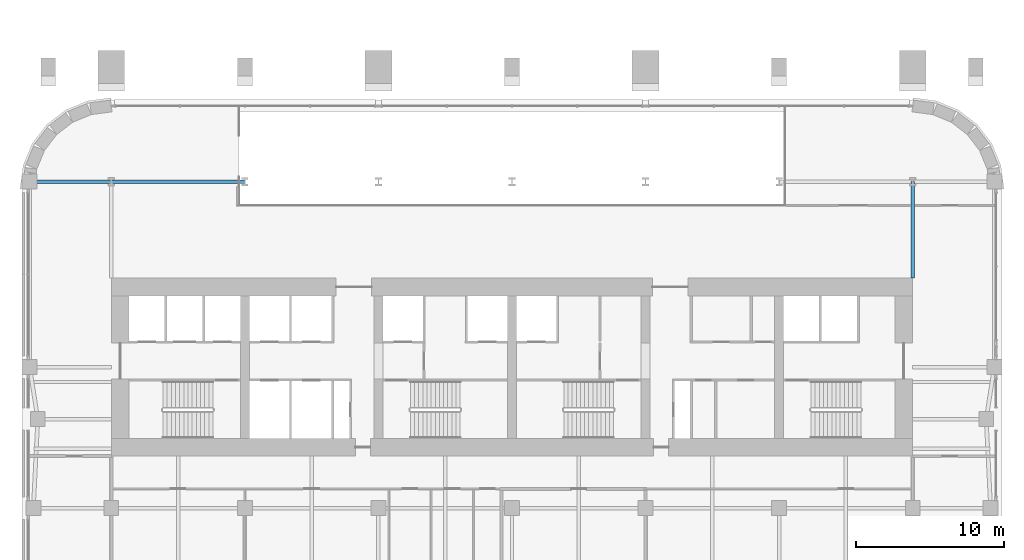
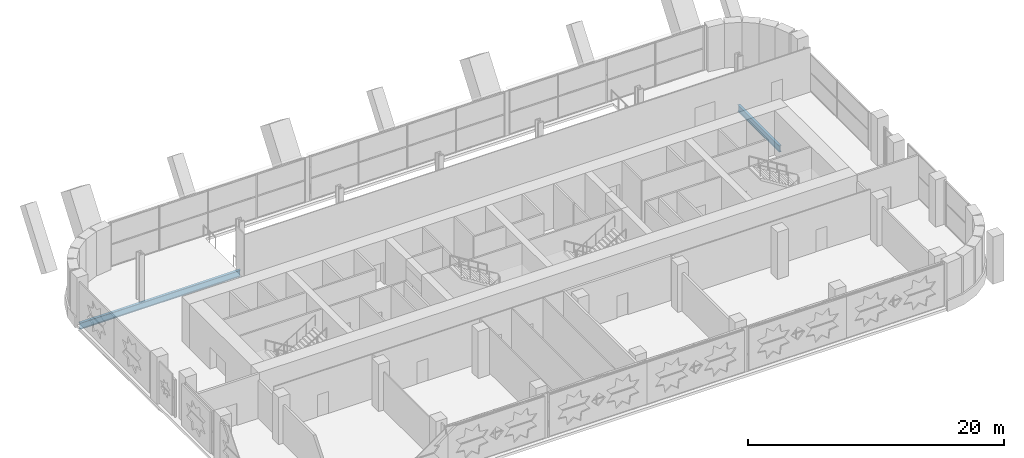
# One storey, part 7 of 21: 2 beams.
"""IFC4 building model written with IfcOpenShell, lengths in metres."""

from ifc_helpers import new_model, si_unit, direction, frame, origin, origin_2d, place, context, subcontext, project, spatial, i_section, extrude, material, material_profile, profile_set, type_object, element, save


model = new_model("IFC4")

# Units and contexts
model_context = context("Model", 3, precision=1e-05, world=origin(), true_north=direction((0.0, 1.0)))
body_context = subcontext(model_context, "Body", "Model", "MODEL_VIEW")
ifc_project = project(units=[si_unit("LENGTHUNIT", "METRE"), si_unit("AREAUNIT", "SQUARE_METRE"), si_unit("VOLUMEUNIT", "CUBIC_METRE"), si_unit("PLANEANGLEUNIT", "RADIAN"), si_unit("MASSUNIT", "GRAM", prefix="KILO")], contexts=[model_context])

# Site, building, storey
site_placement = place(None, origin())
site = spatial("IfcSite", under=ifc_project, at=site_placement, CompositionType="ELEMENT")
building_placement = place(site_placement, origin())
building = spatial("IfcBuilding", under=site, at=building_placement, Name="Zellij Exchange Tower", CompositionType="ELEMENT")
storey_placement = place(building_placement, frame((0.0, 0.0, 43.5)))
storey = spatial("IfcBuildingStorey", under=building, at=storey_placement, Name="L07", CompositionType="ELEMENT", Elevation=43.5)

# Beams
ifc_material = material(Name="Structural steel ASTM A992 Gr 50", Category="steel")
ifc_material_profile = material_profile(ifc_material, i_section(OverallWidth=0.22900390625, OverallDepth=0.612060546875, WebThickness=0.011962890625, FlangeThickness=0.01953125, at=origin_2d()), Name="W24x84")
ifc_profile_set = profile_set([ifc_material_profile], Name="Structural steel ASTM A992 Gr 50")
beam_type = type_object("IfcBeamType", Name="STR-GIRDER W24x84", PredefinedType="BEAM", material=ifc_profile_set)
beam_1_placement = place(storey_placement, frame((-32.5, 4.5, -0.55615234375), z_axis=(1.0, 0.0, 0.0), x_axis=(0.0, 1.0, 0.0)))
element("IfcBeam", 1, at=beam_1_placement, inside=storey, type_object=beam_type, Name="G4", PredefinedType="BEAM", context=body_context, shape_type="SweptSolid", body=[
    extrude(i_section(OverallWidth=0.22900390625, OverallDepth=0.612060546875, WebThickness=0.011962890625, FlangeThickness=0.01953125, at=origin_2d()), origin(), (0.0, 0.0, 1.0), 14.5),
])
beam_2_placement = place(storey_placement, frame((27.0, -2.0, -0.55615234375), z_axis=(0.0, 1.0, 0.0), x_axis=(-1.0, 0.0, 0.0)))
element("IfcBeam", 2, at=beam_2_placement, inside=storey, type_object=beam_type, Name="G4", PredefinedType="BEAM", context=body_context, shape_type="SweptSolid", body=[
    extrude(i_section(OverallWidth=0.22900390625, OverallDepth=0.612060546875, WebThickness=0.011962890625, FlangeThickness=0.01953125, at=origin_2d()), origin(), (0.0, 0.0, 1.0), 6.5),
])

save(model, "model.ifc")
